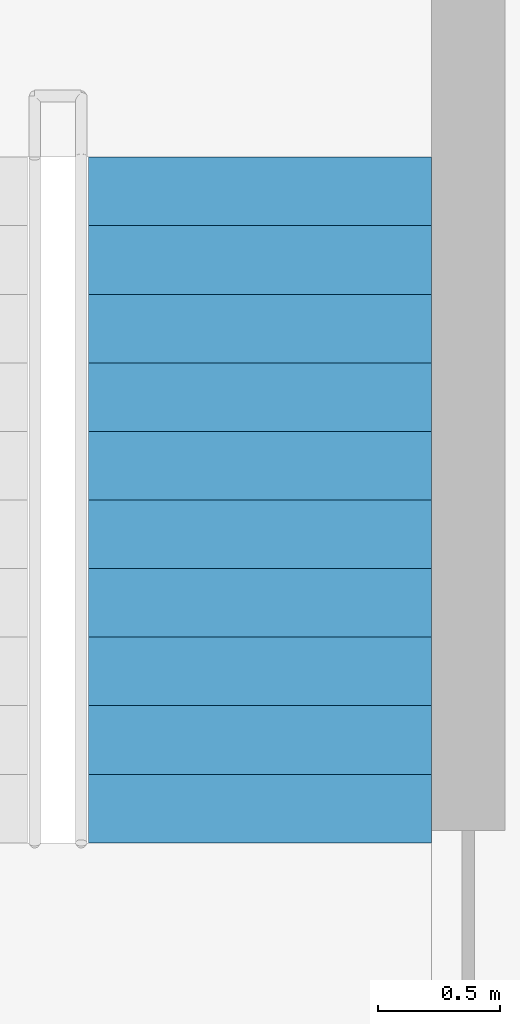
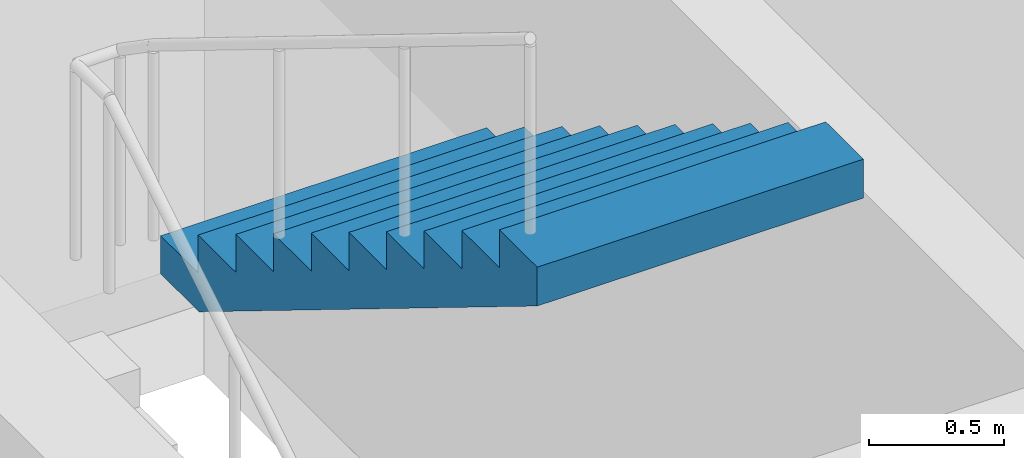
# One storey, part 13 of 15: 1 stair flight, 1 element without a shape of its own.
"""IFC4 building model written with IfcOpenShell, lengths in metres."""

from ifc_helpers import new_model, si_unit, direction, frame, origin, place, context, subcontext, project, spatial, polyline, outline, extrude, material, layer, layer_set, type_object, element, aggregate, save


model = new_model("IFC4")

# Units and contexts
model_context = context("Model", 3, precision=1e-05, world=origin(), true_north=direction((0.0, 1.0)))
body_context = subcontext(model_context, "Body", "Model", "MODEL_VIEW")
ifc_project = project(units=[si_unit("LENGTHUNIT", "METRE"), si_unit("AREAUNIT", "SQUARE_METRE"), si_unit("VOLUMEUNIT", "CUBIC_METRE"), si_unit("PLANEANGLEUNIT", "RADIAN"), si_unit("MASSUNIT", "GRAM", prefix="KILO")], contexts=[model_context])

# Site, building, storey
site_placement = place(None, origin())
site = spatial("IfcSite", under=ifc_project, at=site_placement, CompositionType="ELEMENT")
building_placement = place(site_placement, origin())
building = spatial("IfcBuilding", under=site, at=building_placement, Name="Torre Brocal", CompositionType="ELEMENT")
storey_placement = place(building_placement, frame((0.0, 0.0, 97.60009765625)))
storey = spatial("IfcBuildingStorey", under=building, at=storey_placement, Name="L22", CompositionType="ELEMENT", Elevation=97.60009765625)

# Stair, stair flight
ifc_material_1 = material(Name="Concrete C50", Category="concrete")
stair_type = type_object("IfcStairType", Name="EXIT STAIR", PredefinedType="HALF_TURN_STAIR", material=ifc_material_1)
stair_placement = place(storey_placement, origin())
stair = element("IfcStair", 1, at=stair_placement, inside=storey, type_object=stair_type, Name="EXIT STAIR ST1", PredefinedType="HALF_TURN_STAIR")
ifc_material_2 = material(Name="Concrete C50", Category="concrete")
ifc_layer = layer(ifc_material_2, 0.14990234375)
ifc_layer_set = layer_set([ifc_layer], Name="Concrete C50")
stair_flight_type = type_object("IfcStairFlightType", Name="STAIR FLIGHT", PredefinedType="STRAIGHT", material=ifc_layer_set)
stair_flight_placement = place(storey_placement, frame((90.699951171875, 80.5, 1.89990234375), z_axis=(0.0, 0.0, 1.0), x_axis=(0.0, -1.0, 0.0)))
stair_flight = element("IfcStairFlight", 2, at=stair_flight_placement, type_object=stair_flight_type, Name="ST1 flight 2", NumberOfRisers=11, NumberOfTreads=10, PredefinedType="STRAIGHT", RiserHeight=0.172727273, TreadLength=0.28, context=body_context, shape_type="SweptSolid", body=[
    extrude(outline(polyline([(0.0, 0.0), (0.0, 0.172607421875), (0.280029296875, 0.172607421875), (0.280029296875, 0.345458984375), (0.56005859375, 0.345458984375), (0.56005859375, 0.51806640625), (0.840087890625, 0.51806640625), (0.840087890625, 0.69091796875), (1.1201171875, 0.69091796875), (1.1201171875, 0.863525390625), (1.39990234375, 0.863525390625), (1.39990234375, 1.036376953125), (1.679931640625, 1.036376953125), (1.679931640625, 1.208984375), (1.9599609375, 1.208984375), (1.9599609375, 1.3818359375), (2.239990234375, 1.3818359375), (2.239990234375, 1.554443359375), (2.52001953125, 1.554443359375), (2.52001953125, 1.727294921875), (2.800048828125, 1.727294921875), (2.800048828125, 1.89990234375), (2.800048828125, 1.551025390625), (0.285400390625, 0.0), (0.0, 0.0)])), frame((0.0, 0.699951171875, 0.0), z_axis=(0.0, -1.0, 0.0), x_axis=(1.0, 0.0, 0.0)), (0.0, 0.0, 1.0), 1.39990234375),
])
aggregate(stair, [stair_flight])

save(model, "model.ifc")
